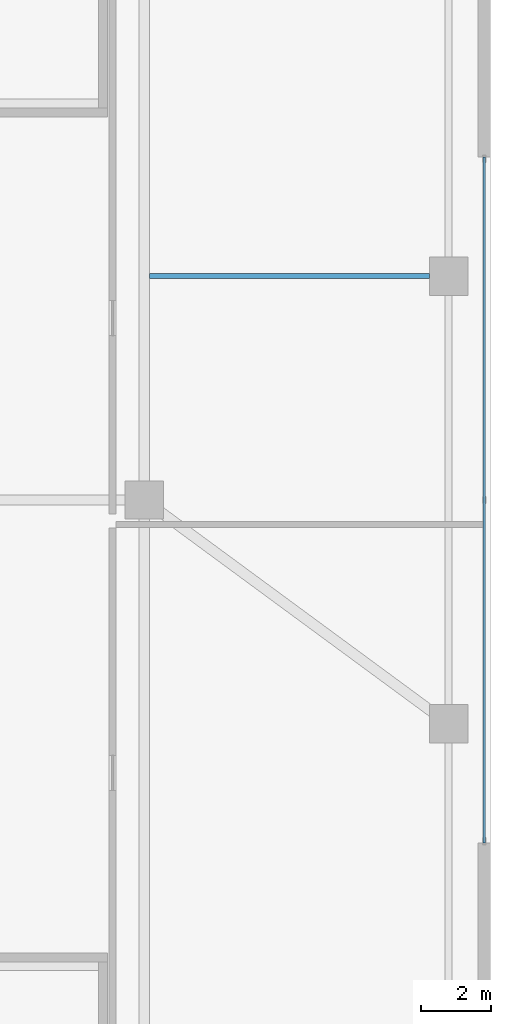
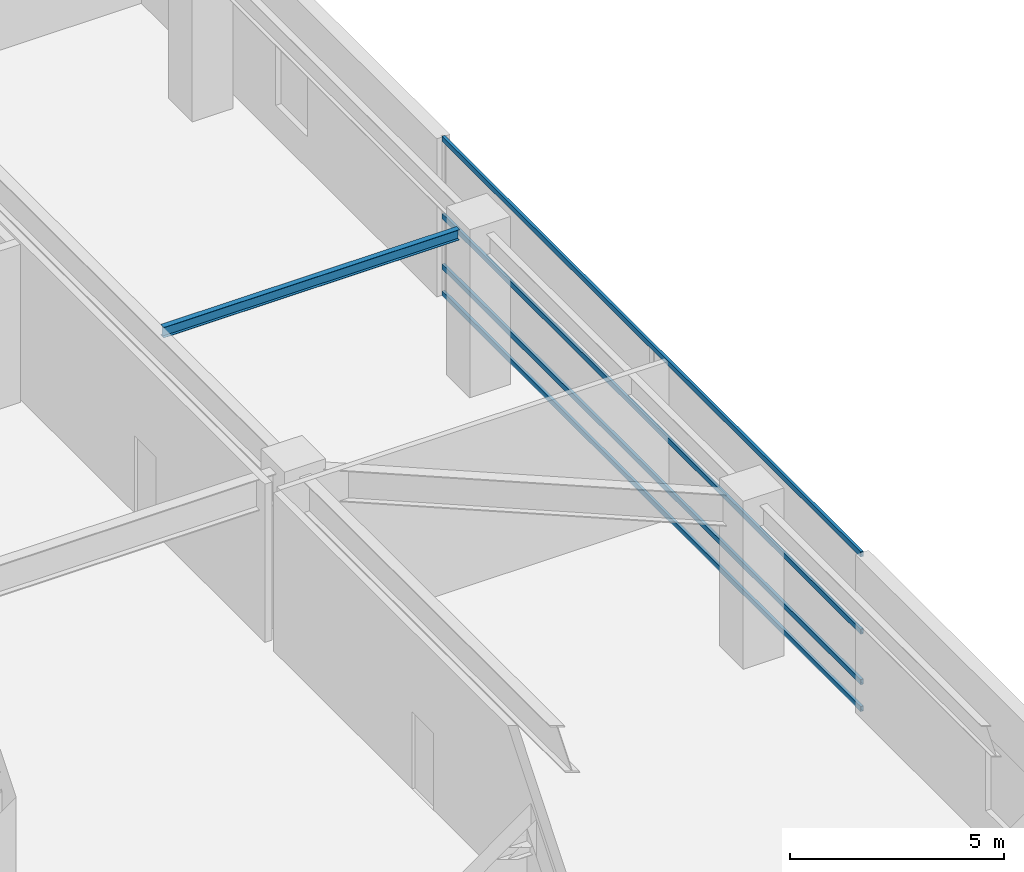
# One storey, part 30 of 39: 4 members, 1 beam, 1 element without a shape of its own.
"""IFC4 building model written with IfcOpenShell, lengths in metres."""

import ifcopenshell
import ifcopenshell.guid

model = None  # the IFC model being written
_history = None  # IfcOwnerHistory: only IFC2X3 demands one
_inside = {}  # id of a spatial element -> (the spatial element, [elements in it])
_under = {}  # id of a project, library or spatial element -> (it, [spatial elements below it])
_declared = {}  # id of a project -> (the project, [libraries it declares])
_typed = {}  # id of a type object -> (the type object, [elements of that type])
_made_of = {}  # id of a material, layer set ... -> (it, [elements and type objects made of it])


def new_model(schema):
    """Start an empty IFC model of exactly this schema.

    Asked for "IFC4X3", IfcOpenShell would pick the latest addendum, in which some entities
    have other attributes; the version numbers below select the first issue.
    IFC2X3 requires an IfcOwnerHistory on every rooted entity: one is made here for all.
    """
    global model, _history
    if schema == "IFC4X3":
        model = ifcopenshell.file(schema_version=(4, 3, 0, 0))
    else:
        model = ifcopenshell.file(schema=schema)
    _inside.clear()
    _under.clear()
    _declared.clear()
    _typed.clear()
    _made_of.clear()
    _history = None
    if model.schema == "IFC2X3":
        org = make("IfcOrganization", Name="unknown")
        user = make(
            "IfcPersonAndOrganization",
            ThePerson=make("IfcPerson", FamilyName="unknown"),
            TheOrganization=org,
        )
        app = make(
            "IfcApplication",
            ApplicationDeveloper=org,
            Version="unknown",
            ApplicationFullName="unknown",
            ApplicationIdentifier="unknown",
        )
        _history = make(
            "IfcOwnerHistory",
            OwningUser=user,
            OwningApplication=app,
            ChangeAction="ADDED",
            CreationDate=0,
        )
    return model


def make(cls, **values):
    """One entity of the class cls with the attributes given. An attribute that is None is left unset."""
    return model.create_entity(
        cls, **{name: value for name, value in values.items() if value is not None}
    )


def rooted(cls, **values):
    """An entity with a GlobalId (a new one), such as an element, a storey or a relation."""
    return make(cls, GlobalId=ifcopenshell.guid.new(), OwnerHistory=_history, **values)


def si_unit(unit_type, name, prefix=None):
    """IfcSIUnit, for example si_unit("LENGTHUNIT", "METRE", prefix="MILLI")."""
    return make("IfcSIUnit", UnitType=unit_type, Prefix=prefix, Name=name)


def assignment(units):
    """IfcUnitAssignment: the units of a project."""
    return None if units is None else make("IfcUnitAssignment", Units=units)


def point(xyz):
    """IfcCartesianPoint."""
    return None if xyz is None else make("IfcCartesianPoint", Coordinates=xyz)


def direction(xyz):
    """IfcDirection."""
    return None if xyz is None else make("IfcDirection", DirectionRatios=xyz)


def frame(location, z_axis=None, x_axis=None):
    """IfcAxis2Placement3D, a coordinate frame: its origin and axes. An axis left out is left unset."""
    return make(
        "IfcAxis2Placement3D",
        Location=point(location),
        Axis=direction(z_axis),
        RefDirection=direction(x_axis),
    )


def frame_2d(location, x_axis=None):
    """IfcAxis2Placement2D, a coordinate frame in the plane: its origin and x axis."""
    return make(
        "IfcAxis2Placement2D", Location=point(location), RefDirection=direction(x_axis)
    )


def origin():
    """The frame at (0, 0, 0) with its axes left unset."""
    return frame((0.0, 0.0, 0.0))


def origin_2d():
    """The frame at (0, 0) in the plane with its x axis left unset."""
    return frame_2d((0.0, 0.0))


def place(relative_to, where):
    """IfcLocalPlacement: puts the frame where relative to a parent placement (None: the world)."""
    return make(
        "IfcLocalPlacement", PlacementRelTo=relative_to, RelativePlacement=where
    )


def context(
    kind, dimensions, precision=None, world=None, true_north=None, identifier=None
):
    """IfcGeometricRepresentationContext, for example the 3D "Model" context."""
    return make(
        "IfcGeometricRepresentationContext",
        ContextIdentifier=identifier,
        ContextType=kind,
        CoordinateSpaceDimension=dimensions,
        Precision=precision,
        WorldCoordinateSystem=world,
        TrueNorth=true_north,
    )


def subcontext(parent, identifier, kind, view, scale=None):
    """IfcGeometricRepresentationSubContext, for example "Body" below "Model"."""
    return make(
        "IfcGeometricRepresentationSubContext",
        ContextIdentifier=identifier,
        ContextType=kind,
        ParentContext=parent,
        TargetScale=scale,
        TargetView=view,
    )


def project(units=None, contexts=None):
    """IfcProject with its units and contexts."""
    return rooted(
        "IfcProject",
        Name="project",
        RepresentationContexts=contexts,
        UnitsInContext=assignment(units),
    )


def spatial(cls, under=None, at=None, **own):
    """A site, building, storey or space (cls), placed at a placement, below another one or the project."""
    s = rooted(cls, ObjectPlacement=at, **own)
    if under is not None:
        _under.setdefault(under.id(), (under, []))[1].append(s)
    return s


def profile(cls, at=None, kind="AREA", **sizes):
    """A parametric profile (cls). Its sizes go by their IFC names, for example OverallWidth=200.0."""
    return make(cls, ProfileType=kind, Position=at, **sizes)


def hollow_rectangle(**sizes):
    """IfcRectangleHollowProfileDef."""
    return profile("IfcRectangleHollowProfileDef", **sizes)


def i_section(**sizes):
    """IfcIShapeProfileDef."""
    return profile("IfcIShapeProfileDef", **sizes)


def extrude(swept, where, along, depth):
    """IfcExtrudedAreaSolid: the profile swept, set in the frame where, extruded along a direction by depth."""
    return make(
        "IfcExtrudedAreaSolid",
        SweptArea=swept,
        Position=where,
        ExtrudedDirection=direction(along),
        Depth=depth,
    )


def shape(context_of_items, identifier, shape_type, items):
    """IfcShapeRepresentation: the items that make up one representation, for example the "Body"."""
    return make(
        "IfcShapeRepresentation",
        ContextOfItems=context_of_items,
        RepresentationIdentifier=identifier,
        RepresentationType=shape_type,
        Items=items,
    )


def source(mapping_origin, context_of_items, identifier, shape_type, items):
    """IfcRepresentationMap: a shape defined once, which mapped items show again and again."""
    return make(
        "IfcRepresentationMap",
        MappingOrigin=mapping_origin,
        MappedRepresentation=shape(context_of_items, identifier, shape_type, items),
    )


def transform(
    local_origin,
    x_axis=None,
    y_axis=None,
    z_axis=None,
    scale=None,
    scale2=None,
    scale3=None,
    uniform=True,
):
    """IfcCartesianTransformationOperator3D, or its non-uniform kind. x_axis, y_axis, z_axis: its Axis1, 2, 3."""
    if uniform:
        return make(
            "IfcCartesianTransformationOperator3D",
            Axis1=direction(x_axis),
            Axis2=direction(y_axis),
            LocalOrigin=point(local_origin),
            Scale=scale,
            Axis3=direction(z_axis),
        )
    return make(
        "IfcCartesianTransformationOperator3DnonUniform",
        Axis1=direction(x_axis),
        Axis2=direction(y_axis),
        LocalOrigin=point(local_origin),
        Scale=scale,
        Axis3=direction(z_axis),
        Scale2=scale2,
        Scale3=scale3,
    )


def mapped(mapping_source, mapping_target):
    """IfcMappedItem: shows the shape of a source again, moved by a transform."""
    return make(
        "IfcMappedItem", MappingSource=mapping_source, MappingTarget=mapping_target
    )


def material(Name=None, Category=None):
    """IfcMaterial."""
    return make("IfcMaterial", Name=Name, Category=Category)


def layer(
    of_material, thickness, ventilated=None, Name=None, Category=None, Priority=None
):
    """IfcMaterialLayer: one layer of a wall or slab, of a material (None: an air gap)."""
    return make(
        "IfcMaterialLayer",
        Material=of_material,
        LayerThickness=thickness,
        IsVentilated=ventilated,
        Name=Name,
        Category=Category,
        Priority=Priority,
    )


def layer_set(layers, Name=None):
    """IfcMaterialLayerSet."""
    return make("IfcMaterialLayerSet", MaterialLayers=layers, LayerSetName=Name)


def material_profile(
    of_material, cross_section, Name=None, Category=None, Priority=None
):
    """IfcMaterialProfile: a cross section and its material."""
    return make(
        "IfcMaterialProfile",
        Name=Name,
        Material=of_material,
        Profile=cross_section,
        Priority=Priority,
        Category=Category,
    )


def profile_set(profiles, Name=None, composite=None):
    """IfcMaterialProfileSet."""
    return make(
        "IfcMaterialProfileSet",
        Name=Name,
        MaterialProfiles=profiles,
        CompositeProfile=composite,
    )


def made_of(thing, what):
    """Note that an element or type object is made of a material, layer set ...; save() writes the relation."""
    if what is not None:
        _made_of.setdefault(what.id(), (what, []))[1].append(thing)
    return thing


def type_object(cls, material=None, **own):
    """A type object (cls), such as IfcWallType, which elements share."""
    return made_of(rooted(cls, **own), material)


def element(
    cls,
    number,
    at=None,
    inside=None,
    cuts=None,
    type_object=None,
    material=None,
    context=None,
    identifier="Body",
    shape_type=None,
    held_by="IfcProductDefinitionShape",
    body=None,
    shapes=None,
    **own,
):
    """One element of the class cls, such as IfcWall. Its Tag is "e" and its number.

    at: its placement. inside: the storey or other place that contains it. cuts: it is an
    opening in that element (IfcRelVoidsElement). A single representation is given by context,
    identifier, shape_type and body (its items); several are given by shapes. held_by: the class
    of the entity that holds the representations. save() writes the other relations.
    """
    e = rooted(cls, Tag="e%d" % number, ObjectPlacement=at, **own)
    if body is not None:
        shapes = [shape(context, identifier, shape_type, body)]
    if shapes is not None:
        e.Representation = make(held_by, Representations=shapes)
    if inside is not None:
        _inside.setdefault(inside.id(), (inside, []))[1].append(e)
    if cuts is not None:
        rooted(
            "IfcRelVoidsElement", RelatingBuildingElement=cuts, RelatedOpeningElement=e
        )
    if type_object is not None:
        _typed.setdefault(type_object.id(), (type_object, []))[1].append(e)
    return made_of(e, material)


def aggregate(whole, parts):
    """IfcRelAggregates: a whole, such as a stair, and the parts it consists of."""
    return rooted("IfcRelAggregates", RelatingObject=whole, RelatedObjects=parts)


def save(model, path):
    """Write the relations noted so far, then the file.

    IfcRelAggregates (storeys below a building ...), IfcRelContainedInSpatialStructure (elements
    in a storey), IfcRelDefinesByType, IfcRelAssociatesMaterial and IfcRelDeclares: one each for
    every whole, place, type object, material and project.
    """
    for whole, parts in _under.values():
        aggregate(whole, parts)
    for where, things in _inside.values():
        rooted(
            "IfcRelContainedInSpatialStructure",
            RelatedElements=things,
            RelatingStructure=where,
        )
    for kind, things in _typed.values():
        rooted("IfcRelDefinesByType", RelatedObjects=things, RelatingType=kind)
    for what, things in _made_of.values():
        rooted("IfcRelAssociatesMaterial", RelatedObjects=things, RelatingMaterial=what)
    for by, libraries in _declared.values():
        rooted("IfcRelDeclares", RelatingContext=by, RelatedDefinitions=libraries)
    model.write(path)


model = new_model("IFC4")

# Units and contexts
model_context = context("Model", 3, precision=1e-05, world=origin(), true_north=direction((0.0, 1.0)))
body_context = subcontext(model_context, "Body", "Model", "MODEL_VIEW")
ifc_project = project(units=[si_unit("LENGTHUNIT", "METRE"), si_unit("AREAUNIT", "SQUARE_METRE"), si_unit("VOLUMEUNIT", "CUBIC_METRE"), si_unit("PLANEANGLEUNIT", "RADIAN"), si_unit("MASSUNIT", "GRAM", prefix="KILO"), si_unit("THERMODYNAMICTEMPERATUREUNIT", "KELVIN"), si_unit("POWERUNIT", "WATT")], contexts=[model_context])

# Site, building, storey
site_placement = place(None, origin())
site = spatial("IfcSite", under=ifc_project, at=site_placement, CompositionType="ELEMENT")
building_placement = place(site_placement, origin())
building = spatial("IfcBuilding", under=site, at=building_placement, Name="Yuzanri Waterfront Tower", CompositionType="ELEMENT")
storey_placement = place(building_placement, frame((0.0, 0.0, 15.0)))
storey = spatial("IfcBuildingStorey", under=building, at=storey_placement, Name="L04", CompositionType="ELEMENT", Elevation=15.0)

# Beam
ifc_material_1 = material(Name="Steel Q355B", Category="steel")
ifc_material_profile_1 = material_profile(ifc_material_1, i_section(OverallWidth=0.14990234375, OverallDepth=0.300048828125, WebThickness=0.006591796875, FlangeThickness=0.009033203125, at=origin_2d()), Name="HN 300x150x6.5x9")
ifc_profile_set_1 = profile_set([ifc_material_profile_1], Name="Steel Q355B")
beam_type = type_object("IfcBeamType", Name="Balcony Outlooker Joist Q355B HN 300x150", PredefinedType="JOIST", material=ifc_profile_set_1)
shared_shape_1 = source(origin(), body_context, "Body", "SweptSolid", [
    extrude(i_section(OverallWidth=0.14990234375, OverallDepth=0.300048828125, WebThickness=0.006591796875, FlangeThickness=0.009033203125, at=origin_2d()), origin(), (0.0, 0.0, 1.0), 8.0),
])
beam_placement = place(storey_placement, frame((62.25, 32.199951171875, 4.3701171875), z_axis=(1.0, 0.0, 0.0), x_axis=(0.0, 1.0, 0.0)))
element("IfcBeam", 1, at=beam_placement, inside=storey, type_object=beam_type, Name="L04 Podium East Secondary Joist", PredefinedType="JOIST", context=body_context, shape_type="MappedRepresentation", body=[
    mapped(shared_shape_1, transform((0.0, 0.0, 0.0), scale=1.0)),
])

# Curtain wall, members
ifc_material_2 = material(Name="Anodized Architectural Bronze", Category="metal")
ifc_layer = layer(ifc_material_2, 0.159912109375)
ifc_layer_set = layer_set([ifc_layer], Name="Anodized Architectural Bronze")
curtain_wall_type = type_object("IfcCurtainWallType", Name="Anodized Bronze Podium Waterfront Double-Height Unitized Curtain Wall 8400", PredefinedType="NOTDEFINED", material=ifc_layer_set)
curtain_wall_placement = place(storey_placement, origin())
curtain_wall = element("IfcCurtainWall", 2, at=curtain_wall_placement, inside=storey, type_object=curtain_wall_type, Name="L04 Curtain Wall CW-L04-E", PredefinedType="NOTDEFINED")
ifc_material_3 = material(Name="Anodized Architectural Bronze", Category="metal")
ifc_material_profile_2 = material_profile(ifc_material_3, hollow_rectangle(XDim=0.074951171875, YDim=0.14990234375, WallThickness=0.00390625, at=origin_2d()), Name="CWT 75x150")
ifc_profile_set_2 = profile_set([ifc_material_profile_2], Name="Anodized Architectural Bronze")
member_type = type_object("IfcMemberType", Name="Anodized Bronze Primary Curtain-Wall Transom 75x150", PredefinedType="USERDEFINED", material=ifc_profile_set_2)
shared_shape_2 = source(origin(), body_context, "Body", "SweptSolid", [
    extrude(hollow_rectangle(XDim=0.074951171875, YDim=0.14990234375, WallThickness=0.00390625, at=origin_2d()), origin(), (0.0, 0.0, 1.0), 19.60009765625),
])
member_1_placement = place(storey_placement, frame((71.820068359375, 16.0, 0.050048828125), z_axis=(0.0, 1.0, 0.0), x_axis=(-1.0, 0.0, 0.0)))
member_1 = element("IfcMember", 3, at=member_1_placement, type_object=member_type, Name="CW-L04-E Transom 1", ObjectType="TRANSOM", PredefinedType="USERDEFINED", context=body_context, shape_type="MappedRepresentation", body=[
    mapped(shared_shape_2, transform((0.0, 0.0, 0.0), scale=1.0)),
])
member_2_placement = place(storey_placement, frame((71.820068359375, 16.0, 0.820068359375), z_axis=(0.0, 1.0, 0.0), x_axis=(-1.0, 0.0, 0.0)))
member_2 = element("IfcMember", 4, at=member_2_placement, type_object=member_type, Name="CW-L04-E Transom 2", ObjectType="TRANSOM", PredefinedType="USERDEFINED", context=body_context, shape_type="MappedRepresentation", body=[
    mapped(shared_shape_2, transform((0.0, 0.0, 0.0), scale=1.0)),
])
member_3_placement = place(storey_placement, frame((71.820068359375, 16.0, 2.260009765625), z_axis=(0.0, 1.0, 0.0), x_axis=(-1.0, 0.0, 0.0)))
member_3 = element("IfcMember", 5, at=member_3_placement, type_object=member_type, Name="CW-L04-E Transom 3", ObjectType="TRANSOM", PredefinedType="USERDEFINED", context=body_context, shape_type="MappedRepresentation", body=[
    mapped(shared_shape_2, transform((0.0, 0.0, 0.0), scale=1.0)),
])
member_4_placement = place(storey_placement, frame((71.820068359375, 16.0, 4.469970703125), z_axis=(0.0, 1.0, 0.0), x_axis=(-1.0, 0.0, 0.0)))
member_4 = element("IfcMember", 6, at=member_4_placement, type_object=member_type, Name="CW-L04-E Transom 4", ObjectType="TRANSOM", PredefinedType="USERDEFINED", context=body_context, shape_type="MappedRepresentation", body=[
    mapped(shared_shape_2, transform((0.0, 0.0, 0.0), scale=1.0)),
])
aggregate(curtain_wall, [member_1, member_2, member_3, member_4])

save(model, "model.ifc")
